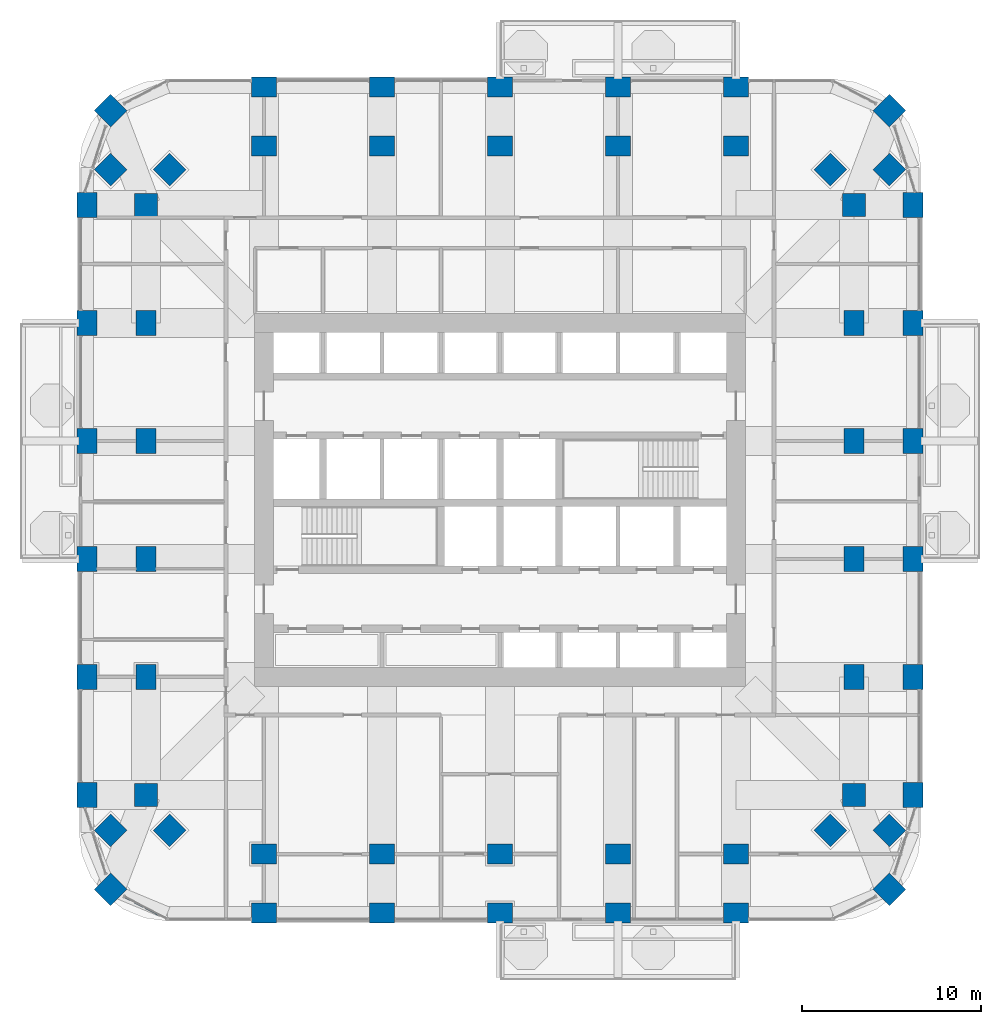
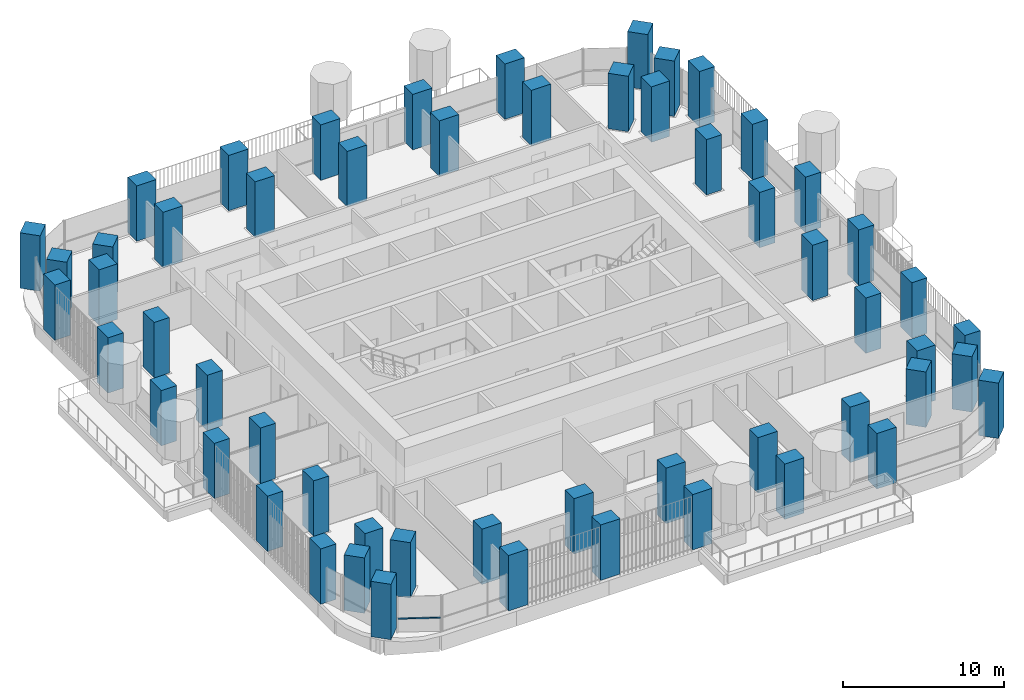
# One storey, part 1 of 23: 56 columns, 1 member, 1 element without a shape of its own.
"""IFC4 building model written with IfcOpenShell, lengths in metres."""

import ifcopenshell
import ifcopenshell.guid

model = None  # the IFC model being written
_history = None  # IfcOwnerHistory: only IFC2X3 demands one
_inside = {}  # id of a spatial element -> (the spatial element, [elements in it])
_under = {}  # id of a project, library or spatial element -> (it, [spatial elements below it])
_declared = {}  # id of a project -> (the project, [libraries it declares])
_typed = {}  # id of a type object -> (the type object, [elements of that type])
_made_of = {}  # id of a material, layer set ... -> (it, [elements and type objects made of it])


def new_model(schema):
    """Start an empty IFC model of exactly this schema.

    Asked for "IFC4X3", IfcOpenShell would pick the latest addendum, in which some entities
    have other attributes; the version numbers below select the first issue.
    IFC2X3 requires an IfcOwnerHistory on every rooted entity: one is made here for all.
    """
    global model, _history
    if schema == "IFC4X3":
        model = ifcopenshell.file(schema_version=(4, 3, 0, 0))
    else:
        model = ifcopenshell.file(schema=schema)
    _inside.clear()
    _under.clear()
    _declared.clear()
    _typed.clear()
    _made_of.clear()
    _history = None
    if model.schema == "IFC2X3":
        org = make("IfcOrganization", Name="unknown")
        user = make(
            "IfcPersonAndOrganization",
            ThePerson=make("IfcPerson", FamilyName="unknown"),
            TheOrganization=org,
        )
        app = make(
            "IfcApplication",
            ApplicationDeveloper=org,
            Version="unknown",
            ApplicationFullName="unknown",
            ApplicationIdentifier="unknown",
        )
        _history = make(
            "IfcOwnerHistory",
            OwningUser=user,
            OwningApplication=app,
            ChangeAction="ADDED",
            CreationDate=0,
        )
    return model


def make(cls, **values):
    """One entity of the class cls with the attributes given. An attribute that is None is left unset."""
    return model.create_entity(
        cls, **{name: value for name, value in values.items() if value is not None}
    )


def rooted(cls, **values):
    """An entity with a GlobalId (a new one), such as an element, a storey or a relation."""
    return make(cls, GlobalId=ifcopenshell.guid.new(), OwnerHistory=_history, **values)


def si_unit(unit_type, name, prefix=None):
    """IfcSIUnit, for example si_unit("LENGTHUNIT", "METRE", prefix="MILLI")."""
    return make("IfcSIUnit", UnitType=unit_type, Prefix=prefix, Name=name)


def assignment(units):
    """IfcUnitAssignment: the units of a project."""
    return None if units is None else make("IfcUnitAssignment", Units=units)


def point(xyz):
    """IfcCartesianPoint."""
    return None if xyz is None else make("IfcCartesianPoint", Coordinates=xyz)


def direction(xyz):
    """IfcDirection."""
    return None if xyz is None else make("IfcDirection", DirectionRatios=xyz)


def frame(location, z_axis=None, x_axis=None):
    """IfcAxis2Placement3D, a coordinate frame: its origin and axes. An axis left out is left unset."""
    return make(
        "IfcAxis2Placement3D",
        Location=point(location),
        Axis=direction(z_axis),
        RefDirection=direction(x_axis),
    )


def frame_2d(location, x_axis=None):
    """IfcAxis2Placement2D, a coordinate frame in the plane: its origin and x axis."""
    return make(
        "IfcAxis2Placement2D", Location=point(location), RefDirection=direction(x_axis)
    )


def origin():
    """The frame at (0, 0, 0) with its axes left unset."""
    return frame((0.0, 0.0, 0.0))


def origin_2d():
    """The frame at (0, 0) in the plane with its x axis left unset."""
    return frame_2d((0.0, 0.0))


def place(relative_to, where):
    """IfcLocalPlacement: puts the frame where relative to a parent placement (None: the world)."""
    return make(
        "IfcLocalPlacement", PlacementRelTo=relative_to, RelativePlacement=where
    )


def context(
    kind, dimensions, precision=None, world=None, true_north=None, identifier=None
):
    """IfcGeometricRepresentationContext, for example the 3D "Model" context."""
    return make(
        "IfcGeometricRepresentationContext",
        ContextIdentifier=identifier,
        ContextType=kind,
        CoordinateSpaceDimension=dimensions,
        Precision=precision,
        WorldCoordinateSystem=world,
        TrueNorth=true_north,
    )


def subcontext(parent, identifier, kind, view, scale=None):
    """IfcGeometricRepresentationSubContext, for example "Body" below "Model"."""
    return make(
        "IfcGeometricRepresentationSubContext",
        ContextIdentifier=identifier,
        ContextType=kind,
        ParentContext=parent,
        TargetScale=scale,
        TargetView=view,
    )


def project(units=None, contexts=None):
    """IfcProject with its units and contexts."""
    return rooted(
        "IfcProject",
        Name="project",
        RepresentationContexts=contexts,
        UnitsInContext=assignment(units),
    )


def spatial(cls, under=None, at=None, **own):
    """A site, building, storey or space (cls), placed at a placement, below another one or the project."""
    s = rooted(cls, ObjectPlacement=at, **own)
    if under is not None:
        _under.setdefault(under.id(), (under, []))[1].append(s)
    return s


def profile(cls, at=None, kind="AREA", **sizes):
    """A parametric profile (cls). Its sizes go by their IFC names, for example OverallWidth=200.0."""
    return make(cls, ProfileType=kind, Position=at, **sizes)


def rectangle(**sizes):
    """IfcRectangleProfileDef."""
    return profile("IfcRectangleProfileDef", **sizes)


def extrude(swept, where, along, depth):
    """IfcExtrudedAreaSolid: the profile swept, set in the frame where, extruded along a direction by depth."""
    return make(
        "IfcExtrudedAreaSolid",
        SweptArea=swept,
        Position=where,
        ExtrudedDirection=direction(along),
        Depth=depth,
    )


def shape(context_of_items, identifier, shape_type, items):
    """IfcShapeRepresentation: the items that make up one representation, for example the "Body"."""
    return make(
        "IfcShapeRepresentation",
        ContextOfItems=context_of_items,
        RepresentationIdentifier=identifier,
        RepresentationType=shape_type,
        Items=items,
    )


def material(Name=None, Category=None):
    """IfcMaterial."""
    return make("IfcMaterial", Name=Name, Category=Category)


def material_profile(
    of_material, cross_section, Name=None, Category=None, Priority=None
):
    """IfcMaterialProfile: a cross section and its material."""
    return make(
        "IfcMaterialProfile",
        Name=Name,
        Material=of_material,
        Profile=cross_section,
        Priority=Priority,
        Category=Category,
    )


def profile_set(profiles, Name=None, composite=None):
    """IfcMaterialProfileSet."""
    return make(
        "IfcMaterialProfileSet",
        Name=Name,
        MaterialProfiles=profiles,
        CompositeProfile=composite,
    )


def made_of(thing, what):
    """Note that an element or type object is made of a material, layer set ...; save() writes the relation."""
    if what is not None:
        _made_of.setdefault(what.id(), (what, []))[1].append(thing)
    return thing


def type_object(cls, material=None, **own):
    """A type object (cls), such as IfcWallType, which elements share."""
    return made_of(rooted(cls, **own), material)


def element(
    cls,
    number,
    at=None,
    inside=None,
    cuts=None,
    type_object=None,
    material=None,
    context=None,
    identifier="Body",
    shape_type=None,
    held_by="IfcProductDefinitionShape",
    body=None,
    shapes=None,
    **own,
):
    """One element of the class cls, such as IfcWall. Its Tag is "e" and its number.

    at: its placement. inside: the storey or other place that contains it. cuts: it is an
    opening in that element (IfcRelVoidsElement). A single representation is given by context,
    identifier, shape_type and body (its items); several are given by shapes. held_by: the class
    of the entity that holds the representations. save() writes the other relations.
    """
    e = rooted(cls, Tag="e%d" % number, ObjectPlacement=at, **own)
    if body is not None:
        shapes = [shape(context, identifier, shape_type, body)]
    if shapes is not None:
        e.Representation = make(held_by, Representations=shapes)
    if inside is not None:
        _inside.setdefault(inside.id(), (inside, []))[1].append(e)
    if cuts is not None:
        rooted(
            "IfcRelVoidsElement", RelatingBuildingElement=cuts, RelatedOpeningElement=e
        )
    if type_object is not None:
        _typed.setdefault(type_object.id(), (type_object, []))[1].append(e)
    return made_of(e, material)


def aggregate(whole, parts):
    """IfcRelAggregates: a whole, such as a stair, and the parts it consists of."""
    return rooted("IfcRelAggregates", RelatingObject=whole, RelatedObjects=parts)


def save(model, path):
    """Write the relations noted so far, then the file.

    IfcRelAggregates (storeys below a building ...), IfcRelContainedInSpatialStructure (elements
    in a storey), IfcRelDefinesByType, IfcRelAssociatesMaterial and IfcRelDeclares: one each for
    every whole, place, type object, material and project.
    """
    for whole, parts in _under.values():
        aggregate(whole, parts)
    for where, things in _inside.values():
        rooted(
            "IfcRelContainedInSpatialStructure",
            RelatedElements=things,
            RelatingStructure=where,
        )
    for kind, things in _typed.values():
        rooted("IfcRelDefinesByType", RelatedObjects=things, RelatingType=kind)
    for what, things in _made_of.values():
        rooted("IfcRelAssociatesMaterial", RelatedObjects=things, RelatingMaterial=what)
    for by, libraries in _declared.values():
        rooted("IfcRelDeclares", RelatingContext=by, RelatedDefinitions=libraries)
    model.write(path)


model = new_model("IFC4")

# Units and contexts
model_context = context("Model", 3, precision=1e-05, world=origin(), true_north=direction((0.0, 1.0)))
body_context = subcontext(model_context, "Body", "Model", "MODEL_VIEW")
ifc_project = project(units=[si_unit("LENGTHUNIT", "METRE"), si_unit("AREAUNIT", "SQUARE_METRE"), si_unit("VOLUMEUNIT", "CUBIC_METRE"), si_unit("PLANEANGLEUNIT", "RADIAN"), si_unit("MASSUNIT", "GRAM", prefix="KILO")], contexts=[model_context])

# Site, building, storey
site_placement = place(None, origin())
site = spatial("IfcSite", under=ifc_project, at=site_placement, CompositionType="ELEMENT")
building_placement = place(site_placement, origin())
building = spatial("IfcBuilding", under=site, at=building_placement, Name="Cobogo Forest Laboratory Tower", CompositionType="ELEMENT")
storey_placement = place(building_placement, frame((0.0, 0.0, 128.39990234375)))
storey = spatial("IfcBuildingStorey", under=building, at=storey_placement, Name="L29", CompositionType="ELEMENT", Elevation=128.39990234375)

# Columns
ifc_material_1 = material(Name="Concrete HA-50 (C50/60)", Category="concrete")
ifc_material_profile_1 = material_profile(ifc_material_1, rectangle(XDim=1.39990234375, YDim=1.10009765625, at=origin_2d()), Name="RC 1100x1400")
ifc_profile_set_1 = profile_set([ifc_material_profile_1], Name="Concrete HA-50 (C50/60)")
column_type_1 = type_object("IfcColumnType", Name="Blade column 1100x1400", PredefinedType="COLUMN", material=ifc_profile_set_1)
for number, where, z_axis, x_axis, name in (
    (1, (13.199951171875, 0.0, 0.0), (0.0, 0.0, 1.0), (1.0, 0.0, 0.0), "Column 3-A L29"),
    (2, (19.800048828125, 0.0, 0.0), (0.0, 0.0, 1.0), (1.0, 0.0, 0.0), "Column 4-A L29"),
    (3, (26.39990234375, 0.0, 0.0), (0.0, 0.0, 1.0), (1.0, 0.0, 0.0), "Column 5-A L29"),
    (4, (33.0, 0.0, 0.0), (0.0, 0.0, 1.0), (1.0, 0.0, 0.0), "Column 6-A L29"),
    (5, (39.60009765625, 0.0, 0.0), (0.0, 0.0, 1.0), (1.0, 0.0, 0.0), "Column 7-A L29"),
    (6, (3.300048828125, 6.60009765625, 0.0), (0.0, 0.0, 1.0), (0.0, 1.0, 0.0), "Column 1.1-B L29"),
    (7, (49.5, 6.60009765625, 0.0), (0.0, 0.0, 1.0), (0.0, 1.0, 0.0), "Column 8.1-B L29"),
    (8, (3.300048828125, 13.199951171875, 0.0), (0.0, 0.0, 1.0), (0.0, 1.0, 0.0), "Column 1.1-C L29"),
    (9, (49.5, 13.199951171875, 0.0), (0.0, 0.0, 1.0), (0.0, 1.0, 0.0), "Column 8.1-C L29"),
    (10, (3.300048828125, 19.800048828125, 0.0), (0.0, 0.0, 1.0), (0.0, 1.0, 0.0), "Column 1.1-D L29"),
    (11, (49.5, 19.800048828125, 0.0), (0.0, 0.0, 1.0), (0.0, 1.0, 0.0), "Column 8.1-D L29"),
    (12, (3.300048828125, 26.39990234375, 0.0), (0.0, 0.0, 1.0), (0.0, 1.0, 0.0), "Column 1.1-E L29"),
    (13, (49.5, 26.39990234375, 0.0), (0.0, 0.0, 1.0), (0.0, 1.0, 0.0), "Column 8.1-E L29"),
    (14, (3.300048828125, 33.0, 0.0), (0.0, 0.0, 1.0), (0.0, 1.0, 0.0), "Column 1.1-F L29"),
    (15, (49.5, 33.0, 0.0), (0.0, 0.0, 1.0), (0.0, 1.0, 0.0), "Column 8.1-F L29"),
    (16, (3.300048828125, 39.60009765625, 0.0), (0.0, 0.0, 1.0), (0.0, 1.0, 0.0), "Column 1.1-G L29"),
    (17, (49.5, 39.60009765625, 0.0), (0.0, 0.0, 1.0), (0.0, 1.0, 0.0), "Column 8.1-G L29"),
    (18, (13.199951171875, 46.199951171875, 0.0), (0.0, 0.0, 1.0), (1.0, 0.0, 0.0), "Column 3-H L29"),
    (19, (19.800048828125, 46.199951171875, 0.0), (0.0, 0.0, 1.0), (1.0, 0.0, 0.0), "Column 4-H L29"),
    (20, (26.39990234375, 46.199951171875, 0.0), (0.0, 0.0, 1.0), (1.0, 0.0, 0.0), "Column 5-H L29"),
    (21, (33.0, 46.199951171875, 0.0), (0.0, 0.0, 1.0), (1.0, 0.0, 0.0), "Column 6-H L29"),
    (22, (39.60009765625, 46.199951171875, 0.0), (0.0, 0.0, 1.0), (1.0, 0.0, 0.0), "Column 7-H L29"),
    (23, (13.199951171875, 3.300048828125, 0.0), (0.0, 0.0, 1.0), (1.0, 0.0, 0.0), "Column 3-A.1-C L29"),
    (24, (19.800048828125, 3.300048828125, 0.0), (0.0, 0.0, 1.0), (1.0, 0.0, 0.0), "Column 4-A.1-C L29"),
    (25, (26.39990234375, 3.300048828125, 0.0), (0.0, 0.0, 1.0), (1.0, 0.0, 0.0), "Column 5-A.1-C L29"),
    (26, (33.0, 3.300048828125, 0.0), (0.0, 0.0, 1.0), (1.0, 0.0, 0.0), "Column 6-A.1-C L29"),
    (27, (39.60009765625, 3.300048828125, 0.0), (0.0, 0.0, 1.0), (1.0, 0.0, 0.0), "Column 7-A.1-C L29"),
    (28, (13.199951171875, 42.89990234375, 0.0), (0.0, 0.0, 1.0), (1.0, 0.0, 0.0), "Column 3-G.1-C L29"),
    (29, (19.800048828125, 42.89990234375, 0.0), (0.0, 0.0, 1.0), (1.0, 0.0, 0.0), "Column 4-G.1-C L29"),
    (30, (26.39990234375, 42.89990234375, 0.0), (0.0, 0.0, 1.0), (1.0, 0.0, 0.0), "Column 5-G.1-C L29"),
    (31, (33.0, 42.89990234375, 0.0), (0.0, 0.0, 1.0), (1.0, 0.0, 0.0), "Column 6-G.1-C L29"),
    (32, (39.60009765625, 42.89990234375, 0.0), (0.0, 0.0, 1.0), (1.0, 0.0, 0.0), "Column 7-G.1-C L29"),
    (33, (6.60009765625, 13.199951171875, 0.0), (0.0, 0.0, 1.0), (0.0, 1.0, 0.0), "Column 2-C-D L29"),
    (34, (46.199951171875, 13.199951171875, 0.0), (0.0, 0.0, 1.0), (0.0, 1.0, 0.0), "Column 8-C-D L29"),
    (35, (6.60009765625, 19.800048828125, 0.0), (0.0, 0.0, 1.0), (0.0, 1.0, 0.0), "Column 2-D-D L29"),
    (36, (46.199951171875, 19.800048828125, 0.0), (0.0, 0.0, 1.0), (0.0, 1.0, 0.0), "Column 8-D-D L29"),
    (37, (6.60009765625, 26.39990234375, 0.0), (0.0, 0.0, 1.0), (0.0, 1.0, 0.0), "Column 2-E-D L29"),
    (38, (46.199951171875, 26.39990234375, 0.0), (0.0, 0.0, 1.0), (0.0, 1.0, 0.0), "Column 8-E-D L29"),
    (39, (6.60009765625, 33.0, 0.0), (0.0, 0.0, 1.0), (0.0, 1.0, 0.0), "Column 2-F-D L29"),
    (40, (46.199951171875, 33.0, 0.0), (0.0, 0.0, 1.0), (0.0, 1.0, 0.0), "Column 8-F-D L29"),
):
    element("IfcColumn", number, at=place(storey_placement, frame(where, z_axis=z_axis, x_axis=x_axis)), inside=storey, type_object=column_type_1, Name=name, PredefinedType="COLUMN", context=body_context, shape_type="SweptSolid", body=[
        extrude(rectangle(XDim=1.39990234375, YDim=1.10009765625, at=origin_2d()), origin(), (0.0, 0.0, 1.0), 4.2001953125),
    ])
ifc_material_profile_2 = material_profile(ifc_material_1, rectangle(XDim=1.300048828125, YDim=1.300048828125, at=origin_2d()), Name="RC 1300x1300")
ifc_profile_set_2 = profile_set([ifc_material_profile_2], Name="Concrete HA-50 (C50/60)")
column_type_2 = type_object("IfcColumnType", Name="Column 1300x1300", PredefinedType="COLUMN", material=ifc_profile_set_2)
for number, where, z_axis, x_axis, name in (
    (41, (4.617919921875, 1.318115234375, 0.0), (0.0, 0.0, 1.0), (0.707106781187, 0.707106781187, 0.0), "Column CNR-SW L29"),
    (42, (48.181884765625, 1.318115234375, 0.0), (0.0, 0.0, 1.0), (0.707106781187, 0.707106781187, 0.0), "Column CNR-SE L29"),
    (43, (4.617919921875, 44.882080078125, 0.0), (0.0, 0.0, 1.0), (0.707106781187, 0.707106781187, 0.0), "Column CNR-NW L29"),
    (44, (48.181884765625, 44.882080078125, 0.0), (0.0, 0.0, 1.0), (0.707106781187, 0.707106781187, 0.0), "Column CNR-NE L29"),
    (45, (6.60009765625, 6.60009765625, 0.0), (0.0, 0.0, 1.0), (1.0, 0.0, 0.0), "Column 2-B L29"),
    (46, (46.199951171875, 6.60009765625, 0.0), (0.0, 0.0, 1.0), (1.0, 0.0, 0.0), "Column 8-B L29"),
    (47, (6.60009765625, 39.60009765625, 0.0), (0.0, 0.0, 1.0), (1.0, 0.0, 0.0), "Column 2-G L29"),
    (48, (46.199951171875, 39.60009765625, 0.0), (0.0, 0.0, 1.0), (1.0, 0.0, 0.0), "Column 8-G L29"),
    (49, (4.617919921875, 4.617919921875, 0.0), (0.0, 0.0, 1.0), (0.707106781187, 0.707106781187, 0.0), "Column CNR-SW-C L29"),
    (50, (48.181884765625, 4.617919921875, 0.0), (0.0, 0.0, 1.0), (0.707106781187, 0.707106781187, 0.0), "Column CNR-SE-C L29"),
    (51, (4.617919921875, 41.58203125, 0.0), (0.0, 0.0, 1.0), (0.707106781187, 0.707106781187, 0.0), "Column CNR-NW-C L29"),
    (52, (48.181884765625, 41.58203125, 0.0), (0.0, 0.0, 1.0), (0.707106781187, 0.707106781187, 0.0), "Column CNR-NE-C L29"),
    (53, (7.91796875, 4.617919921875, 0.0), (0.0, 0.0, 1.0), (0.707106781187, 0.707106781187, 0.0), "Column CNR-SW-D L29"),
    (54, (44.882080078125, 4.617919921875, 0.0), (0.0, 0.0, 1.0), (0.707106781187, 0.707106781187, 0.0), "Column CNR-SE-D L29"),
    (55, (7.91796875, 41.58203125, 0.0), (0.0, 0.0, 1.0), (0.707106781187, 0.707106781187, 0.0), "Column CNR-NW-D L29"),
    (56, (44.882080078125, 41.58203125, 0.0), (0.0, 0.0, 1.0), (0.707106781187, 0.707106781187, 0.0), "Column CNR-NE-D L29"),
):
    element("IfcColumn", number, at=place(storey_placement, frame(where, z_axis=z_axis, x_axis=x_axis)), inside=storey, type_object=column_type_2, Name=name, PredefinedType="COLUMN", context=body_context, shape_type="SweptSolid", body=[
        extrude(rectangle(XDim=1.300048828125, YDim=1.300048828125, at=origin_2d()), origin(), (0.0, 0.0, 1.0), 4.2001953125),
    ])

# Curtain wall, member
ifc_material_2 = material(Name="Aluminium curtain wall", Category="aluminium")
curtain_wall_type = type_object("IfcCurtainWallType", Name="CW-1 unitised curtain wall, clear glazing, laboratory floors zones A and B", PredefinedType="USERDEFINED", material=ifc_material_2)
curtain_wall_placement = place(storey_placement, origin())
curtain_wall = element("IfcCurtainWall", 57, at=curtain_wall_placement, inside=storey, type_object=curtain_wall_type, Name="Curtain wall 34 L29", ObjectType="UNITISED CURTAIN WALL", PredefinedType="USERDEFINED")
ifc_material_3 = material(Name="Aluminium transom", Category="aluminium")
ifc_material_profile_3 = material_profile(ifc_material_3, rectangle(XDim=0.1201171875, YDim=0.06005859375, at=origin_2d()), Name="AL 60x120")
ifc_profile_set_3 = profile_set([ifc_material_profile_3], Name="Aluminium transom")
member_type = type_object("IfcMemberType", Name="TR-1 aluminium transom 60x120", PredefinedType="USERDEFINED", material=ifc_profile_set_3)
member_placement = place(storey_placement, frame((5.394775390625, 0.910888671875, 1.050048828125), z_axis=(0.885694740493, -0.464268054753, 0.0), x_axis=(0.464268054753, 0.885694740493, 0.0)))
member = element("IfcMember", 58, at=member_placement, type_object=member_type, Name="CW-1 transom 1.1", ObjectType="TRANSOM", PredefinedType="USERDEFINED", context=body_context, shape_type="SweptSolid", body=[
    extrude(rectangle(XDim=0.1201171875, YDim=0.06005859375, at=origin_2d()), origin(), (0.0, 0.0, 1.0), 2.655517578125),
])
aggregate(curtain_wall, [member])

save(model, "model.ifc")
